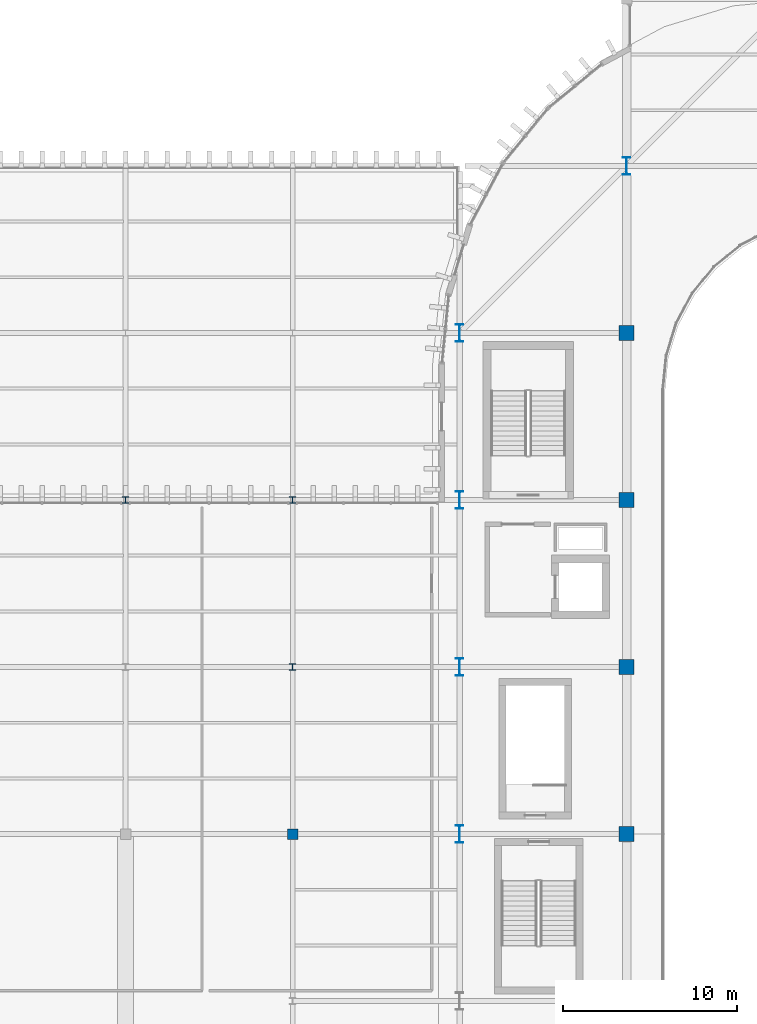
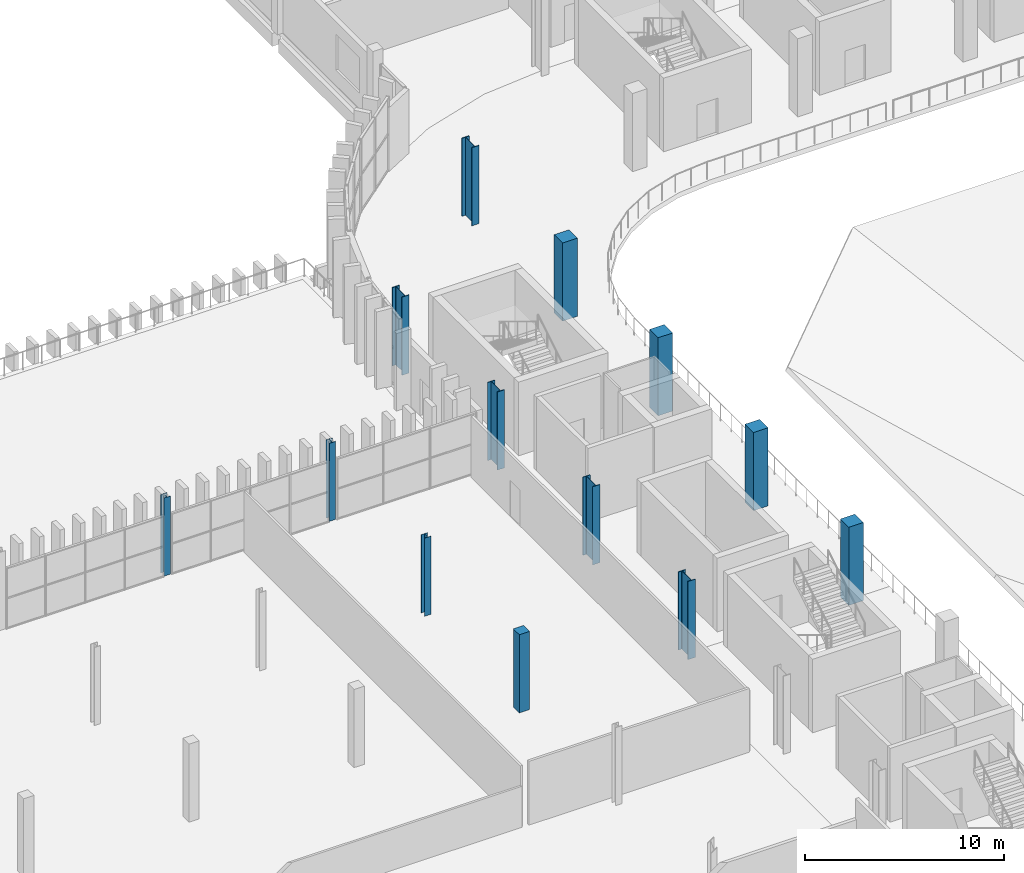
# One storey, part 7 of 99: 13 columns.
"""IFC4 building model written with IfcOpenShell, lengths in metres."""

from ifc_helpers import new_model, si_unit, direction, frame, origin, origin_2d, place, context, subcontext, project, spatial, rectangle, i_section, extrude, material, material_profile, profile_set, type_object, element, save


model = new_model("IFC4")

# Units and contexts
model_context = context("Model", 3, precision=1e-05, world=origin(), true_north=direction((0.0, 1.0)))
body_context = subcontext(model_context, "Body", "Model", "MODEL_VIEW")
ifc_project = project(units=[si_unit("LENGTHUNIT", "METRE"), si_unit("AREAUNIT", "SQUARE_METRE"), si_unit("VOLUMEUNIT", "CUBIC_METRE"), si_unit("PLANEANGLEUNIT", "RADIAN"), si_unit("MASSUNIT", "GRAM", prefix="KILO")], contexts=[model_context])

# Site, building, storey
site_placement = place(None, origin())
site = spatial("IfcSite", under=ifc_project, at=site_placement, CompositionType="ELEMENT")
building_placement = place(site_placement, origin())
building = spatial("IfcBuilding", under=site, at=building_placement, Name="Caelomonte Colonnade Arena", CompositionType="ELEMENT")
storey_placement = place(building_placement, frame((0.0, 0.0, 4.800048828125)))
storey = spatial("IfcBuildingStorey", under=building, at=storey_placement, Name="L01", CompositionType="ELEMENT", Elevation=4.800048828125)

# Columns
ifc_material_1 = material(Name="Concrete C40/50", Category="concrete")
ifc_material_profile_1 = material_profile(ifc_material_1, rectangle(XDim=0.60009765625, YDim=0.60009765625, at=origin_2d()), Name="RC600X600")
ifc_profile_set_1 = profile_set([ifc_material_profile_1], Name="Concrete C40/50")
column_type_1 = type_object("IfcColumnType", Name="STR-COL-RC06", PredefinedType="COLUMN", material=ifc_profile_set_1)
column_placement = place(storey_placement, frame((48.0, 67.199951171875, 0.0), z_axis=(0.0, 0.0, 1.0), x_axis=(1.0, 0.0, 0.0)))
element("IfcColumn", 1, at=column_placement, inside=storey, type_object=column_type_1, Name="L01 column (48.0, 67.2)", PredefinedType="COLUMN", context=body_context, shape_type="SweptSolid", body=[
    extrude(rectangle(XDim=0.60009765625, YDim=0.60009765625, at=origin_2d()), origin(), (0.0, 0.0, 1.0), 4.800048828125),
])
ifc_material_2 = material(Name="Concrete C50/60", Category="concrete")
ifc_material_profile_2 = material_profile(ifc_material_2, rectangle(XDim=0.85009765625, YDim=0.85009765625, at=origin_2d()), Name="RC850X850")
ifc_profile_set_2 = profile_set([ifc_material_profile_2], Name="Concrete C50/60")
column_type_2 = type_object("IfcColumnType", Name="STR-COL-RC85", PredefinedType="COLUMN", material=ifc_profile_set_2)
for number, where, z_axis, x_axis, name in (
    (2, (67.199951171875, 67.199951171875, 0.0), (0.0, 0.0, 1.0), (1.0, 0.0, 0.0), "L01 column (67.2, 67.2)"),
    (3, (67.199951171875, 76.800048828125, 0.0), (0.0, 0.0, 1.0), (1.0, 0.0, 0.0), "L01 column (67.2, 76.8)"),
    (4, (67.199951171875, 86.39990234375, 0.0), (0.0, 0.0, 1.0), (1.0, 0.0, 0.0), "L01 column (67.2, 86.4)"),
    (5, (67.199951171875, 96.0, 0.0), (0.0, 0.0, 1.0), (1.0, 0.0, 0.0), "L01 column (67.2, 96.0)"),
):
    element("IfcColumn", number, at=place(storey_placement, frame(where, z_axis=z_axis, x_axis=x_axis)), inside=storey, type_object=column_type_2, Name=name, PredefinedType="COLUMN", context=body_context, shape_type="SweptSolid", body=[
        extrude(rectangle(XDim=0.85009765625, YDim=0.85009765625, at=origin_2d()), origin(), (0.0, 0.0, 1.0), 4.800048828125),
    ])
ifc_material_3 = material(Name="Wide-flange steel ASTM A992 Grade 50", Category="steel")
ifc_material_profile_3 = material_profile(ifc_material_3, i_section(OverallWidth=0.368896484375, OverallDepth=0.356201171875, WebThickness=0.01123046875, FlangeThickness=0.01806640625, FilletRadius=0.01513671875, at=origin_2d()), Name="W14X90")
ifc_profile_set_3 = profile_set([ifc_material_profile_3], Name="Wide-flange steel ASTM A992 Grade 50")
column_type_3 = type_object("IfcColumnType", Name="STR-COL-W14B", PredefinedType="COLUMN", material=ifc_profile_set_3)
for number, where, z_axis, x_axis, name in (
    (6, (38.39990234375, 86.39990234375, 0.0), (0.0, 0.0, 1.0), (1.0, 0.0, 0.0), "L01 column (38.4, 86.4)"),
    (7, (48.0, 76.800048828125, 0.0), (0.0, 0.0, 1.0), (1.0, 0.0, 0.0), "L01 column (48.0, 76.8)"),
    (8, (48.0, 86.39990234375, 0.0), (0.0, 0.0, 1.0), (1.0, 0.0, 0.0), "L01 column (48.0, 86.4)"),
):
    element("IfcColumn", number, at=place(storey_placement, frame(where, z_axis=z_axis, x_axis=x_axis)), inside=storey, type_object=column_type_3, Name=name, PredefinedType="COLUMN", context=body_context, shape_type="SweptSolid", body=[
        extrude(i_section(OverallWidth=0.368896484375, OverallDepth=0.356201171875, WebThickness=0.01123046875, FlangeThickness=0.01806640625, FilletRadius=0.01513671875, at=origin_2d()), origin(), (0.0, 0.0, 1.0), 4.800048828125),
    ])
ifc_material_profile_4 = material_profile(ifc_material_3, i_section(OverallWidth=0.419189453125, OverallDepth=1.010986328125, WebThickness=0.023681640625, FlangeThickness=0.0419921875, FilletRadius=0.030517578125, at=origin_2d()), Name="W40X297")
ifc_profile_set_4 = profile_set([ifc_material_profile_4], Name="Wide-flange steel ASTM A992 Grade 50")
column_type_4 = type_object("IfcColumnType", Name="STR-COL-W40B", PredefinedType="COLUMN", material=ifc_profile_set_4)
for number, where, z_axis, x_axis, name in (
    (9, (57.60009765625, 67.199951171875, 0.0), (0.0, 0.0, 1.0), (1.0, 0.0, 0.0), "L01 column (57.6, 67.2)"),
    (10, (57.60009765625, 76.800048828125, 0.0), (0.0, 0.0, 1.0), (1.0, 0.0, 0.0), "L01 column (57.6, 76.8)"),
    (11, (57.60009765625, 86.39990234375, 0.0), (0.0, 0.0, 1.0), (1.0, 0.0, 0.0), "L01 column (57.6, 86.4)"),
    (12, (57.60009765625, 96.0, 0.0), (0.0, 0.0, 1.0), (1.0, 0.0, 0.0), "L01 column (57.6, 96.0)"),
    (13, (67.199951171875, 105.60009765625, 0.0), (0.0, 0.0, 1.0), (1.0, 0.0, 0.0), "L01 column (67.2, 105.6)"),
):
    element("IfcColumn", number, at=place(storey_placement, frame(where, z_axis=z_axis, x_axis=x_axis)), inside=storey, type_object=column_type_4, Name=name, PredefinedType="COLUMN", context=body_context, shape_type="SweptSolid", body=[
        extrude(i_section(OverallWidth=0.419189453125, OverallDepth=1.010986328125, WebThickness=0.023681640625, FlangeThickness=0.0419921875, FilletRadius=0.030517578125, at=origin_2d()), origin(), (0.0, 0.0, 1.0), 4.800048828125),
    ])

save(model, "model.ifc")
